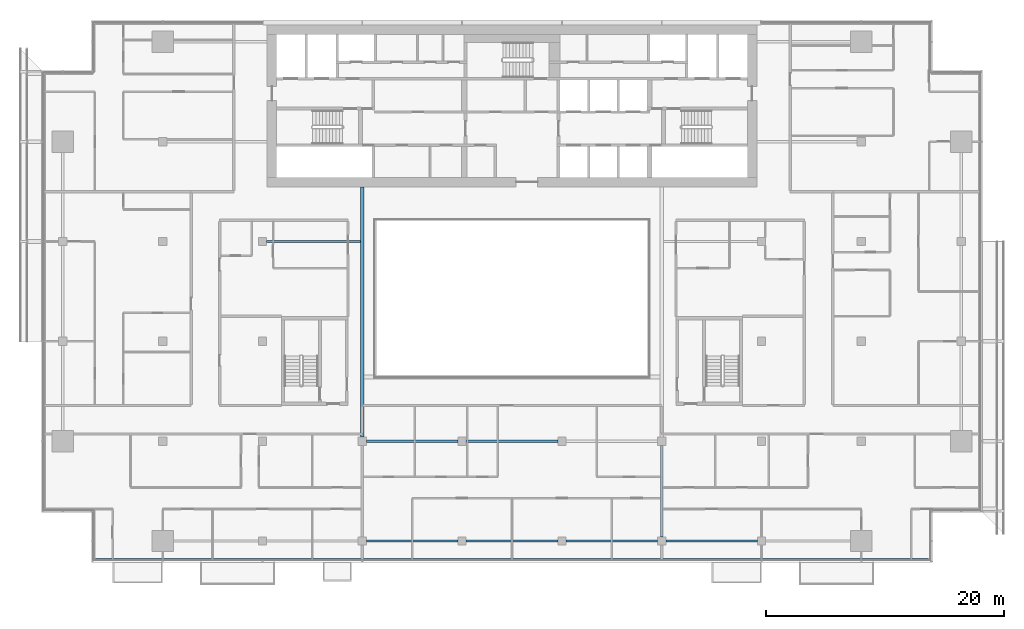
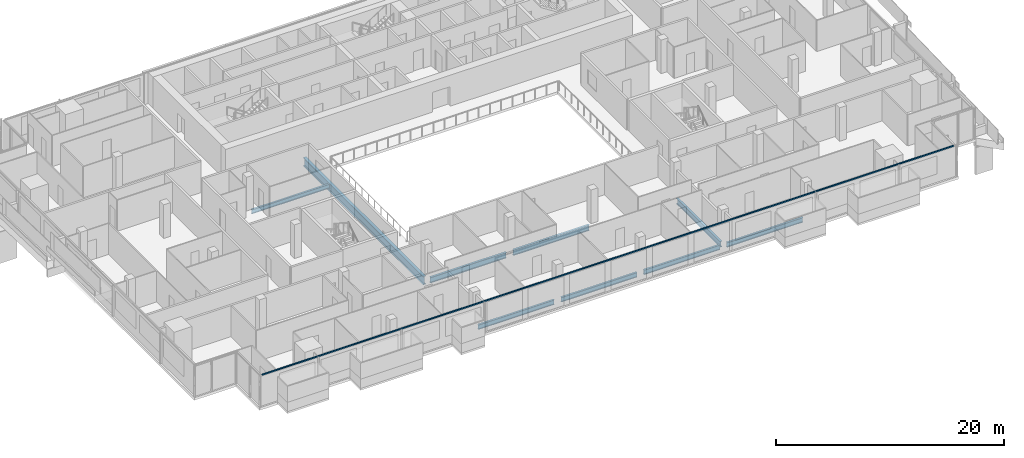
# One storey, part 5 of 29: 9 beams, 1 member, 1 element without a shape of its own.
"""IFC4 building model written with IfcOpenShell, lengths in metres."""

from ifc_helpers import new_model, si_unit, direction, frame, origin, origin_2d, place, context, subcontext, project, spatial, rectangle, i_section, extrude, material, material_profile, profile_set, type_object, element, aggregate, save


model = new_model("IFC4")

# Units and contexts
model_context = context("Model", 3, precision=1e-05, world=origin(), true_north=direction((0.0, 1.0)))
body_context = subcontext(model_context, "Body", "Model", "MODEL_VIEW")
ifc_project = project(units=[si_unit("LENGTHUNIT", "METRE"), si_unit("AREAUNIT", "SQUARE_METRE"), si_unit("VOLUMEUNIT", "CUBIC_METRE"), si_unit("PLANEANGLEUNIT", "RADIAN"), si_unit("MASSUNIT", "GRAM", prefix="KILO")], contexts=[model_context])

# Site, building, storey
site_placement = place(None, origin())
site = spatial("IfcSite", under=ifc_project, at=site_placement, CompositionType="ELEMENT")
building_placement = place(site_placement, origin())
building = spatial("IfcBuilding", under=site, at=building_placement, Name="Saffron Gate Tower", CompositionType="ELEMENT")
storey_placement = place(building_placement, frame((0.0, 0.0, 161.85009765625)))
storey = spatial("IfcBuildingStorey", under=building, at=storey_placement, Name="L39", CompositionType="ELEMENT", Elevation=161.85009765625)

# Beams
ifc_material_1 = material(Name="Structural steel S355", Category="steel")
ifc_material_profile_1 = material_profile(ifc_material_1, i_section(OverallWidth=0.199951171875, OverallDepth=0.5, WebThickness=0.01025390625, FlangeThickness=0.01611328125, FilletRadius=0.02099609375, at=origin_2d()))
ifc_profile_set_1 = profile_set([ifc_material_profile_1], Name="Structural steel S355")
beam_type_1 = type_object("IfcBeamType", Name="B11 IPE 500", PredefinedType="SPANDREL", material=ifc_profile_set_1)
for number, where, z_axis, x_axis, name in (
    (1, (75.35009765625, 31.800048828125, -0.530029296875), (1.0, 0.0, 0.0), (0.0, 1.0, 0.0), "B11 SPANDREL BEAM"),
    (2, (83.75, 31.800048828125, -0.530029296875), (1.0, 0.0, 0.0), (0.0, 1.0, 0.0), "B11 SPANDREL BEAM"),
):
    element("IfcBeam", number, at=place(storey_placement, frame(where, z_axis=z_axis, x_axis=x_axis)), inside=storey, type_object=beam_type_1, Name=name, PredefinedType="SPANDREL", context=body_context, shape_type="SweptSolid", body=[
        extrude(i_section(OverallWidth=0.199951171875, OverallDepth=0.5, WebThickness=0.01025390625, FlangeThickness=0.01611328125, FilletRadius=0.02099609375, at=origin_2d()), origin(), (0.0, 0.0, 1.0), 7.699951171875),
    ])
beam_1_placement = place(storey_placement, frame((92.14990234375, 31.800048828125, -0.530029296875), z_axis=(1.0, 0.0, 0.0), x_axis=(0.0, 1.0, 0.0)))
element("IfcBeam", 3, at=beam_1_placement, inside=storey, type_object=beam_type_1, Name="B11 SPANDREL BEAM", PredefinedType="SPANDREL", context=body_context, shape_type="SweptSolid", body=[
    extrude(i_section(OverallWidth=0.199951171875, OverallDepth=0.5, WebThickness=0.01025390625, FlangeThickness=0.01611328125, FilletRadius=0.02099609375, at=origin_2d()), origin(), (0.0, 0.0, 1.0), 7.7001953125),
])
beam_2_placement = place(storey_placement, frame((100.550048828125, 31.800048828125, -0.530029296875), z_axis=(1.0, 0.0, 0.0), x_axis=(0.0, 1.0, 0.0)))
element("IfcBeam", 4, at=beam_2_placement, inside=storey, type_object=beam_type_1, Name="B11 SPANDREL BEAM", PredefinedType="SPANDREL", context=body_context, shape_type="SweptSolid", body=[
    extrude(i_section(OverallWidth=0.199951171875, OverallDepth=0.5, WebThickness=0.01025390625, FlangeThickness=0.01611328125, FilletRadius=0.02099609375, at=origin_2d()), origin(), (0.0, 0.0, 1.0), 7.699951171875),
])
ifc_material_profile_2 = material_profile(ifc_material_1, i_section(OverallWidth=0.219970703125, OverallDepth=0.60009765625, WebThickness=0.011962890625, FlangeThickness=0.01904296875, FilletRadius=0.02392578125, at=origin_2d()))
ifc_profile_set_2 = profile_set([ifc_material_profile_2], Name="Structural steel S355")
beam_type_2 = type_object("IfcBeamType", Name="B15 IPE 600", PredefinedType="BEAM", material=ifc_profile_set_2)
beam_3_placement = place(storey_placement, frame((100.199951171875, 32.14990234375, -0.580078125), z_axis=(0.0, 1.0, 0.0), x_axis=(-1.0, 0.0, 0.0)))
element("IfcBeam", 5, at=beam_3_placement, inside=storey, type_object=beam_type_2, Name="B15 FLOOR GIRDER", PredefinedType="BEAM", context=body_context, shape_type="SweptSolid", body=[
    extrude(i_section(OverallWidth=0.219970703125, OverallDepth=0.60009765625, WebThickness=0.011962890625, FlangeThickness=0.01904296875, FilletRadius=0.02392578125, at=origin_2d()), origin(), (0.0, 0.0, 1.0), 7.7001953125),
])
for number, where, z_axis, x_axis, name in (
    (6, (75.35009765625, 40.199951171875, -0.580078125), (1.0, 0.0, 0.0), (0.0, 1.0, 0.0), "B15 FLOOR GIRDER"),
    (7, (83.75, 40.199951171875, -0.580078125), (1.0, 0.0, 0.0), (0.0, 1.0, 0.0), "B15 FLOOR GIRDER"),
):
    element("IfcBeam", number, at=place(storey_placement, frame(where, z_axis=z_axis, x_axis=x_axis)), inside=storey, type_object=beam_type_2, Name=name, PredefinedType="BEAM", context=body_context, shape_type="SweptSolid", body=[
        extrude(i_section(OverallWidth=0.219970703125, OverallDepth=0.60009765625, WebThickness=0.011962890625, FlangeThickness=0.01904296875, FilletRadius=0.02392578125, at=origin_2d()), origin(), (0.0, 0.0, 1.0), 7.699951171875),
    ])
ifc_material_profile_3 = material_profile(ifc_material_1, i_section(OverallWidth=0.300048828125, OverallDepth=0.889892578125, WebThickness=0.01611328125, FlangeThickness=0.030029296875, FilletRadius=0.030029296875, at=origin_2d()))
ifc_profile_set_3 = profile_set([ifc_material_profile_3], Name="Structural steel S355")
beam_type_3 = type_object("IfcBeamType", Name="B19 HEA 900", PredefinedType="BEAM", material=ifc_profile_set_3)
beam_4_placement = place(storey_placement, frame((75.0, 40.550048828125, -0.72509765625), z_axis=(0.0, 1.0, 0.0), x_axis=(-1.0, 0.0, 0.0)))
element("IfcBeam", 8, at=beam_4_placement, inside=storey, type_object=beam_type_3, Name="B19 ATRIUM GIRDER", PredefinedType="BEAM", context=body_context, shape_type="SweptSolid", body=[
    extrude(i_section(OverallWidth=0.300048828125, OverallDepth=0.889892578125, WebThickness=0.01611328125, FlangeThickness=0.030029296875, FilletRadius=0.030029296875, at=origin_2d()), origin(), (0.0, 0.0, 1.0), 21.050048828125),
])
ifc_material_profile_4 = material_profile(ifc_material_1, i_section(OverallWidth=0.18994140625, OverallDepth=0.449951171875, WebThickness=0.009521484375, FlangeThickness=0.0146484375, FilletRadius=0.02099609375, at=origin_2d()))
ifc_profile_set_4 = profile_set([ifc_material_profile_4], Name="Structural steel S355")
beam_type_4 = type_object("IfcBeamType", Name="B6 IPE 450", PredefinedType="BEAM", material=ifc_profile_set_4)
beam_5_placement = place(storey_placement, frame((66.949951171875, 57.0, -0.505126953125), z_axis=(1.0, 0.0, 0.0), x_axis=(0.0, 1.0, 0.0)))
element("IfcBeam", 9, at=beam_5_placement, inside=storey, type_object=beam_type_4, Name="B6 CORE TIE BEAM", PredefinedType="BEAM", context=body_context, shape_type="SweptSolid", body=[
    extrude(i_section(OverallWidth=0.18994140625, OverallDepth=0.449951171875, WebThickness=0.009521484375, FlangeThickness=0.0146484375, FilletRadius=0.02099609375, at=origin_2d()), origin(), (0.0, 0.0, 1.0), 7.900146484375),
])

# Curtain wall, member
ifc_material_2 = material(Name="Aluminium, bronze anodised", Category="aluminium")
curtain_wall_type = type_object("IfcCurtainWallType", Name="CWS1 curtain wall front facade", PredefinedType="NOTDEFINED", material=ifc_material_2)
curtain_wall_placement = place(storey_placement, origin())
curtain_wall = element("IfcCurtainWall", 10, at=curtain_wall_placement, inside=storey, type_object=curtain_wall_type, Name="CWS1 run 1", PredefinedType="NOTDEFINED")
ifc_material_profile_5 = material_profile(ifc_material_2, rectangle(XDim=0.1201171875, YDim=0.1201171875, at=origin_2d()))
ifc_profile_set_5 = profile_set([ifc_material_profile_5], Name="Aluminium, bronze anodised")
member_type = type_object("IfcMemberType", Name="CWS1 head transom", PredefinedType="USERDEFINED", material=ifc_profile_set_5)
member_placement = place(storey_placement, frame((52.568115234375, 30.248046875, 3.260009765625), z_axis=(1.0, 0.0, 0.0), x_axis=(0.0, 1.0, 0.0)))
member = element("IfcMember", 11, at=member_placement, type_object=member_type, Name="CWS1 head transom", ObjectType="TRANSOM", PredefinedType="USERDEFINED", context=body_context, shape_type="SweptSolid", body=[
    extrude(rectangle(XDim=0.1201171875, YDim=0.1201171875, at=origin_2d()), origin(), (0.0, 0.0, 1.0), 70.06396484375),
])
aggregate(curtain_wall, [member])

save(model, "model.ifc")
